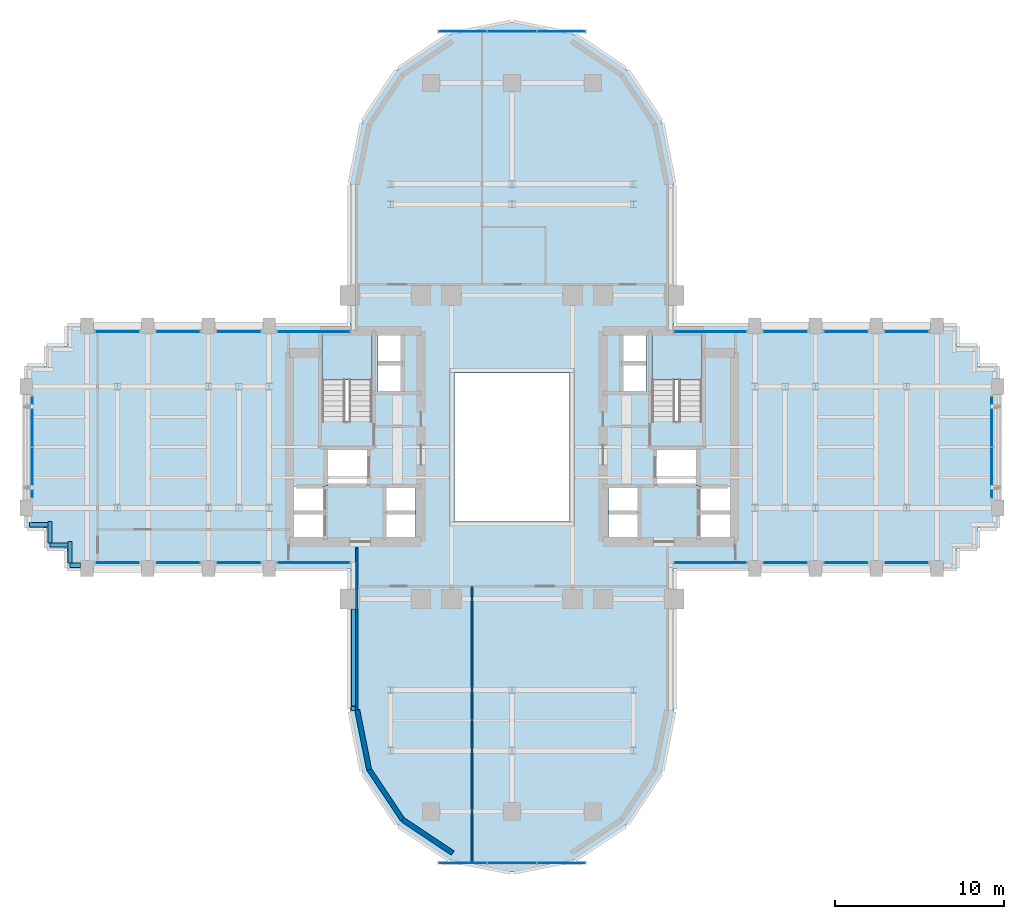
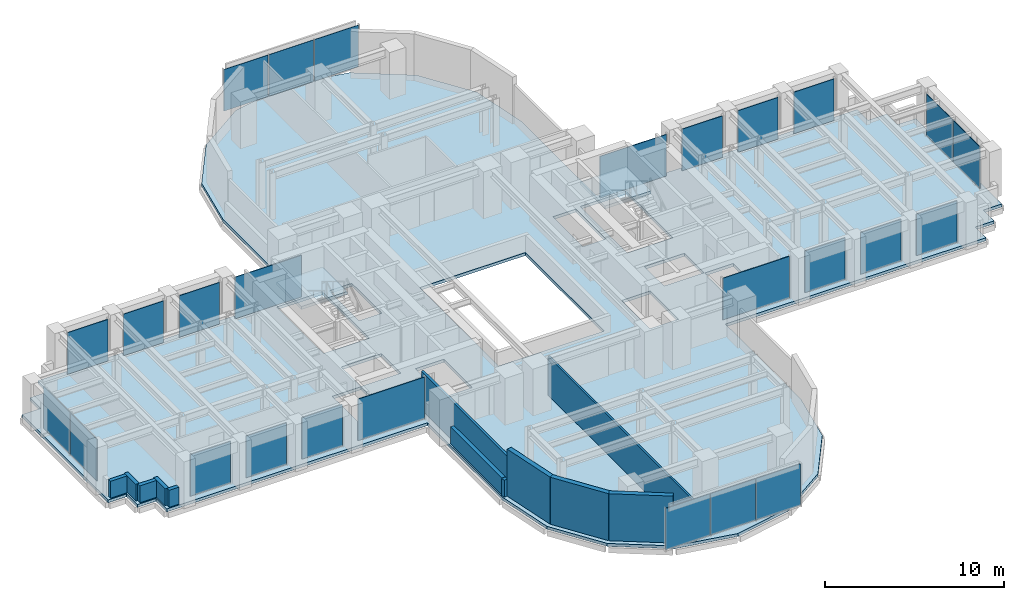
# One storey, part 9 of 16: 26 plates, 12 walls, 3 slabs, 22 elements without a shape of their own.
"""IFC4 building model written with IfcOpenShell, lengths in metres."""

from ifc_helpers import new_model, si_unit, direction, frame, frame_2d, origin, origin_2d, place, context, subcontext, project, spatial, polyline, rectangle, outline, extrude, source, transform, mapped, material, layer, layer_set, type_object, element, aggregate, save


model = new_model("IFC4")

# Units and contexts
model_context = context("Model", 3, precision=1e-05, world=origin(), true_north=direction((0.0, 1.0)))
body_context = subcontext(model_context, "Body", "Model", "MODEL_VIEW")
ifc_project = project(units=[si_unit("LENGTHUNIT", "METRE"), si_unit("AREAUNIT", "SQUARE_METRE"), si_unit("VOLUMEUNIT", "CUBIC_METRE"), si_unit("PLANEANGLEUNIT", "RADIAN"), si_unit("MASSUNIT", "GRAM", prefix="KILO")], contexts=[model_context])

# Site, building, storey
site_placement = place(None, origin())
site = spatial("IfcSite", under=ifc_project, at=site_placement, CompositionType="ELEMENT")
building_placement = place(site_placement, origin())
building = spatial("IfcBuilding", under=site, at=building_placement, Name="Keilestroom Media Tower", CompositionType="ELEMENT")
storey_placement = place(building_placement, frame((0.0, 0.0, 37.39990234375)))
storey = spatial("IfcBuildingStorey", under=building, at=storey_placement, Name="L08", CompositionType="ELEMENT", Elevation=37.39990234375)

# Slab
ifc_material_1 = material(Name="Concrete C50/60", Category="concrete")
ifc_layer_1 = layer(ifc_material_1, 0.199951171875)
ifc_layer_set_1 = layer_set([ifc_layer_1], Name="Concrete C50/60")
slab_type_1 = type_object("IfcSlabType", Name="Composite-Floor-Slab-200", PredefinedType="FLOOR", material=ifc_layer_set_1)
slab_1_placement = place(storey_placement, frame((0.0, 0.0, -0.199951171875)))
element("IfcSlab", 1, at=slab_1_placement, inside=storey, type_object=slab_type_1, Name="L08 Structural Composite Floor Slab", PredefinedType="FLOOR", context=body_context, shape_type="SweptSolid", body=[
    extrude(outline(polyline([(28.800048828125, -4.800048828125), (28.800048828125, 4.800048828125), (27.60009765625, 4.800048828125), (27.60009765625, 6.0), (26.39990234375, 6.0), (26.39990234375, 7.199951171875), (9.60009765625, 7.199951171875), (9.60009765625, 9.60009765625), (9.60009765625, 15.60009765625), (8.869140625, 19.273681640625), (6.7880859375, 22.38818359375), (3.673828125, 24.46923828125), (0.0, 25.199951171875), (-3.673828125, 24.46923828125), (-6.7880859375, 22.38818359375), (-8.869140625, 19.273681640625), (-9.60009765625, 15.60009765625), (-9.60009765625, 9.60009765625), (-9.60009765625, 7.199951171875), (-26.39990234375, 7.199951171875), (-26.39990234375, 6.0), (-27.60009765625, 6.0), (-27.60009765625, 4.800048828125), (-28.800048828125, 4.800048828125), (-28.800048828125, -4.800048828125), (-27.60009765625, -4.800048828125), (-27.60009765625, -6.0), (-26.39990234375, -6.0), (-26.39990234375, -7.199951171875), (-9.60009765625, -7.199951171875), (-9.60009765625, -9.60009765625), (-9.60009765625, -15.60009765625), (-8.869140625, -19.273681640625), (-6.7880859375, -22.38818359375), (-3.673828125, -24.46923828125), (0.0, -25.199951171875), (3.673828125, -24.46923828125), (6.7880859375, -22.38818359375), (8.869140625, -19.273681640625), (9.60009765625, -15.60009765625), (9.60009765625, -9.60009765625), (9.60009765625, -7.199951171875), (26.39990234375, -7.199951171875), (26.39990234375, -6.0), (27.60009765625, -6.0), (27.60009765625, -4.800048828125), (28.800048828125, -4.800048828125)]), holes=[polyline([(-12.919921875, -5.47998046875), (-12.919921875, -2.320068359375), (-11.080078125, -2.320068359375), (-11.080078125, -5.47998046875), (-12.919921875, -5.47998046875)]), polyline([(-11.260009765625, 1.544921875), (-11.260009765625, 6.760009765625), (-8.300048828125, 6.760009765625), (-8.300048828125, 1.544921875), (-11.260009765625, 1.544921875)]), polyline([(-11.050048828125, -2.280029296875), (-11.050048828125, -0.10009765625), (-8.47998046875, -0.10009765625), (-8.47998046875, -2.280029296875), (-11.050048828125, -2.280029296875)]), polyline([(-7.949951171875, 3.300048828125), (-7.949951171875, 6.64990234375), (-6.47998046875, 6.64990234375), (-6.47998046875, 3.300048828125), (-7.949951171875, 3.300048828125)]), polyline([(-7.56005859375, -5.47998046875), (-7.56005859375, -2.320068359375), (-5.719970703125, -2.320068359375), (-5.719970703125, -5.47998046875), (-7.56005859375, -5.47998046875)]), polyline([(-3.39990234375, -4.39990234375), (-3.39990234375, 4.39990234375), (3.39990234375, 4.39990234375), (3.39990234375, -4.39990234375), (-3.39990234375, -4.39990234375)]), polyline([(5.719970703125, -5.47998046875), (5.719970703125, -2.320068359375), (7.56005859375, -2.320068359375), (7.56005859375, -5.47998046875), (5.719970703125, -5.47998046875)]), polyline([(7.949951171875, 6.64990234375), (7.949951171875, 3.300048828125), (6.47998046875, 3.300048828125), (6.47998046875, 6.64990234375), (7.949951171875, 6.64990234375)]), polyline([(8.300048828125, 6.760009765625), (11.260009765625, 6.760009765625), (11.260009765625, 1.544921875), (8.300048828125, 1.544921875), (8.300048828125, 6.760009765625)]), polyline([(8.47998046875, -2.280029296875), (8.47998046875, -0.10009765625), (11.050048828125, -0.10009765625), (11.050048828125, -2.280029296875), (8.47998046875, -2.280029296875)]), polyline([(12.919921875, -5.47998046875), (11.080078125, -5.47998046875), (11.080078125, -2.320068359375), (12.919921875, -2.320068359375), (12.919921875, -5.47998046875)])]), origin(), (0.0, 0.0, 1.0), 0.199951171875),
])

# Stair, slab
ifc_material_2 = material(Name="Concrete C45/55", Category="concrete")
stair_type = type_object("IfcStairType", Name="Enclosed-Dog-Leg-Stair-ST-CORE", PredefinedType="HALF_TURN_STAIR", material=ifc_material_2)
stair_1_placement = place(storey_placement, origin())
stair_1 = element("IfcStair", 2, at=stair_1_placement, inside=storey, type_object=stair_type, Name="L08 West Core Escape Stair ST-1", PredefinedType="HALF_TURN_STAIR")
ifc_layer_2 = layer(ifc_material_2, 0.199951171875)
ifc_layer_set_2 = layer_set([ifc_layer_2], Name="Concrete C45/55")
slab_type_2 = type_object("IfcSlabType", Name="Stair-Intermediate-And-Top-Landing-Slab-200", PredefinedType="LANDING", material=ifc_layer_set_2)
slab_2_placement = place(storey_placement, frame((0.0, 0.0, 1.5)))
slab_2 = element("IfcSlab", 3, at=slab_2_placement, type_object=slab_type_2, Name="ST-1 landing 1", PredefinedType="LANDING", context=body_context, shape_type="SweptSolid", body=[
    extrude(outline(polyline([(-8.300048828125, 3.99609375), (-8.300048828125, 6.760009765625), (-11.260009765625, 6.760009765625), (-11.260009765625, 3.99609375), (-8.300048828125, 3.99609375)])), origin(), (0.0, 0.0, 1.0), 0.2001953125),
])
aggregate(stair_1, [slab_2])

stair_2_placement = place(storey_placement, origin())
stair_2 = element("IfcStair", 4, at=stair_2_placement, inside=storey, type_object=stair_type, Name="L08 East Core Escape Stair ST-2", PredefinedType="HALF_TURN_STAIR")
slab_3_placement = place(storey_placement, frame((0.0, 0.0, 1.5)))
slab_3 = element("IfcSlab", 5, at=slab_3_placement, type_object=slab_type_2, Name="ST-2 landing 1", PredefinedType="LANDING", context=body_context, shape_type="SweptSolid", body=[
    extrude(outline(polyline([(11.260009765625, 3.99609375), (11.260009765625, 6.760009765625), (8.300048828125, 6.760009765625), (8.300048828125, 3.99609375), (11.260009765625, 3.99609375)])), origin(), (0.0, 0.0, 1.0), 0.2001953125),
])
aggregate(stair_2, [slab_3])

# Curtain wall, plates
ifc_material_3 = material(Name="Anodised Aluminium Alloy", Category="aluminium")
curtain_wall_type_1 = type_object("IfcCurtainWallType", Name="Unitised-Curtain-Wall-CW-1", PredefinedType="NOTDEFINED", material=ifc_material_3)
curtain_wall_1_placement = place(storey_placement, origin())
curtain_wall_1 = element("IfcCurtainWall", 6, at=curtain_wall_1_placement, inside=storey, type_object=curtain_wall_type_1, Name="L08 Curtain Wall CW-1 CW-L08-W-1", PredefinedType="NOTDEFINED")
ifc_material_4 = material(Name="Double Glazed Low-E Unit", Category="glass")
ifc_layer_3 = layer(ifc_material_4, 0.0439453125)
ifc_layer_set_3 = layer_set([ifc_layer_3], Name="Double Glazed Low-E Unit")
plate_type_1 = type_object("IfcPlateType", Name="Insulated-Curtain-Wall-Glazing-Panel-CW-1", PredefinedType="CURTAIN_PANEL", material=ifc_layer_set_3)
shared_shape_1 = source(origin(), body_context, "Body", "SweptSolid", [
    extrude(rectangle(XDim=2.968017578125, YDim=0.0439453125, at=origin_2d()), origin(), (0.0, 0.0, 1.0), 2.833984375),
])
plate_1_placement = place(storey_placement, frame((-28.449951171875, -1.514892578125, 0.072998046875), z_axis=(0.0, 0.0, 1.0), x_axis=(0.0, 1.0, 0.0)))
plate_1 = element("IfcPlate", 7, at=plate_1_placement, type_object=plate_type_1, Name="CW-1 Unitised Glazing 00", PredefinedType="CURTAIN_PANEL", context=body_context, shape_type="MappedRepresentation", body=[
    mapped(shared_shape_1, transform((0.0, 0.0, 0.0), x_axis=(1.0, 0.0, 0.0), y_axis=(0.0, 1.0, 0.0), z_axis=(0.0, 0.0, 1.0), scale=1.0)),
])
plate_2_placement = place(storey_placement, frame((-28.449951171875, 1.514892578125, 0.072998046875), z_axis=(0.0, 0.0, 1.0), x_axis=(0.0, 1.0, 0.0)))
plate_2 = element("IfcPlate", 8, at=plate_2_placement, type_object=plate_type_1, Name="CW-1 Unitised Glazing 01", PredefinedType="CURTAIN_PANEL", context=body_context, shape_type="MappedRepresentation", body=[
    mapped(shared_shape_1, transform((0.0, 0.0, 0.0), x_axis=(1.0, 0.0, 0.0), y_axis=(0.0, 1.0, 0.0), z_axis=(0.0, 0.0, 1.0), scale=1.0)),
])
aggregate(curtain_wall_1, [plate_1, plate_2])

curtain_wall_2_placement = place(storey_placement, origin())
curtain_wall_2 = element("IfcCurtainWall", 9, at=curtain_wall_2_placement, inside=storey, type_object=curtain_wall_type_1, Name="L08 Curtain Wall CW-1 CW-L08-E-1", PredefinedType="NOTDEFINED")
plate_3_placement = place(storey_placement, frame((28.449951171875, -1.514892578125, 0.072998046875), z_axis=(0.0, 0.0, 1.0), x_axis=(0.0, 1.0, 0.0)))
plate_3 = element("IfcPlate", 10, at=plate_3_placement, type_object=plate_type_1, Name="CW-1 Unitised Glazing 00", PredefinedType="CURTAIN_PANEL", context=body_context, shape_type="MappedRepresentation", body=[
    mapped(shared_shape_1, transform((0.0, 0.0, 0.0), x_axis=(1.0, 0.0, 0.0), y_axis=(0.0, 1.0, 0.0), z_axis=(0.0, 0.0, 1.0), scale=1.0)),
])
plate_4_placement = place(storey_placement, frame((28.449951171875, 1.514892578125, 0.072998046875), z_axis=(0.0, 0.0, 1.0), x_axis=(0.0, 1.0, 0.0)))
plate_4 = element("IfcPlate", 11, at=plate_4_placement, type_object=plate_type_1, Name="CW-1 Unitised Glazing 01", PredefinedType="CURTAIN_PANEL", context=body_context, shape_type="MappedRepresentation", body=[
    mapped(shared_shape_1, transform((0.0, 0.0, 0.0), x_axis=(1.0, 0.0, 0.0), y_axis=(0.0, 1.0, 0.0), z_axis=(0.0, 0.0, 1.0), scale=1.0)),
])
aggregate(curtain_wall_2, [plate_3, plate_4])

# Curtain wall, plate
curtain_wall_3_placement = place(storey_placement, origin())
curtain_wall_3 = element("IfcCurtainWall", 12, at=curtain_wall_3_placement, inside=storey, type_object=curtain_wall_type_1, Name="L08 Curtain Wall CW-1 CW-L08-NW-1", PredefinedType="NOTDEFINED")
shared_shape_2 = source(origin(), body_context, "Body", "SweptSolid", [
    extrude(rectangle(XDim=2.597900390625, YDim=0.0439453125, at=origin_2d()), origin(), (0.0, 0.0, 1.0), 2.833984375),
])
plate_5_placement = place(storey_placement, frame((-23.39990234375, 6.85009765625, 0.072998046875), z_axis=(0.0, 0.0, 1.0), x_axis=(1.0, 0.0, 0.0)))
plate_5 = element("IfcPlate", 13, at=plate_5_placement, type_object=plate_type_1, Name="CW-1 Unitised Glazing 00", PredefinedType="CURTAIN_PANEL", context=body_context, shape_type="MappedRepresentation", body=[
    mapped(shared_shape_2, transform((0.0, 0.0, 0.0), x_axis=(1.0, 0.0, 0.0), y_axis=(0.0, 1.0, 0.0), z_axis=(0.0, 0.0, 1.0), scale=1.0)),
])
aggregate(curtain_wall_3, [plate_5])

curtain_wall_4_placement = place(storey_placement, origin())
curtain_wall_4 = element("IfcCurtainWall", 14, at=curtain_wall_4_placement, inside=storey, type_object=curtain_wall_type_1, Name="L08 Curtain Wall CW-1 CW-L08-NW-2", PredefinedType="NOTDEFINED")
plate_6_placement = place(storey_placement, frame((-19.800048828125, 6.85009765625, 0.072998046875), z_axis=(0.0, 0.0, 1.0), x_axis=(1.0, 0.0, 0.0)))
plate_6 = element("IfcPlate", 15, at=plate_6_placement, type_object=plate_type_1, Name="CW-1 Unitised Glazing 00", PredefinedType="CURTAIN_PANEL", context=body_context, shape_type="MappedRepresentation", body=[
    mapped(shared_shape_2, transform((0.0, 0.0, 0.0), x_axis=(1.0, 0.0, 0.0), y_axis=(0.0, 1.0, 0.0), z_axis=(0.0, 0.0, 1.0), scale=1.0)),
])
aggregate(curtain_wall_4, [plate_6])

curtain_wall_5_placement = place(storey_placement, origin())
curtain_wall_5 = element("IfcCurtainWall", 16, at=curtain_wall_5_placement, inside=storey, type_object=curtain_wall_type_1, Name="L08 Curtain Wall CW-1 CW-L08-NW-3", PredefinedType="NOTDEFINED")
plate_7_placement = place(storey_placement, frame((-16.199951171875, 6.85009765625, 0.072998046875), z_axis=(0.0, 0.0, 1.0), x_axis=(1.0, 0.0, 0.0)))
plate_7 = element("IfcPlate", 17, at=plate_7_placement, type_object=plate_type_1, Name="CW-1 Unitised Glazing 00", PredefinedType="CURTAIN_PANEL", context=body_context, shape_type="MappedRepresentation", body=[
    mapped(shared_shape_2, transform((0.0, 0.0, 0.0), x_axis=(1.0, 0.0, 0.0), y_axis=(0.0, 1.0, 0.0), z_axis=(0.0, 0.0, 1.0), scale=1.0)),
])
aggregate(curtain_wall_5, [plate_7])

curtain_wall_6_placement = place(storey_placement, origin())
curtain_wall_6 = element("IfcCurtainWall", 18, at=curtain_wall_6_placement, inside=storey, type_object=curtain_wall_type_1, Name="L08 Curtain Wall CW-1 CW-L08-NE-2", PredefinedType="NOTDEFINED")
plate_8_placement = place(storey_placement, frame((16.199951171875, 6.85009765625, 0.072998046875), z_axis=(0.0, 0.0, 1.0), x_axis=(1.0, 0.0, 0.0)))
plate_8 = element("IfcPlate", 19, at=plate_8_placement, type_object=plate_type_1, Name="CW-1 Unitised Glazing 00", PredefinedType="CURTAIN_PANEL", context=body_context, shape_type="MappedRepresentation", body=[
    mapped(shared_shape_2, transform((0.0, 0.0, 0.0), x_axis=(1.0, 0.0, 0.0), y_axis=(0.0, 1.0, 0.0), z_axis=(0.0, 0.0, 1.0), scale=1.0)),
])
aggregate(curtain_wall_6, [plate_8])

curtain_wall_7_placement = place(storey_placement, origin())
curtain_wall_7 = element("IfcCurtainWall", 20, at=curtain_wall_7_placement, inside=storey, type_object=curtain_wall_type_1, Name="L08 Curtain Wall CW-1 CW-L08-NE-3", PredefinedType="NOTDEFINED")
plate_9_placement = place(storey_placement, frame((19.800048828125, 6.85009765625, 0.072998046875), z_axis=(0.0, 0.0, 1.0), x_axis=(1.0, 0.0, 0.0)))
plate_9 = element("IfcPlate", 21, at=plate_9_placement, type_object=plate_type_1, Name="CW-1 Unitised Glazing 00", PredefinedType="CURTAIN_PANEL", context=body_context, shape_type="MappedRepresentation", body=[
    mapped(shared_shape_2, transform((0.0, 0.0, 0.0), x_axis=(1.0, 0.0, 0.0), y_axis=(0.0, 1.0, 0.0), z_axis=(0.0, 0.0, 1.0), scale=1.0)),
])
aggregate(curtain_wall_7, [plate_9])

curtain_wall_8_placement = place(storey_placement, origin())
curtain_wall_8 = element("IfcCurtainWall", 22, at=curtain_wall_8_placement, inside=storey, type_object=curtain_wall_type_1, Name="L08 Curtain Wall CW-1 CW-L08-NE-4", PredefinedType="NOTDEFINED")
plate_10_placement = place(storey_placement, frame((23.39990234375, 6.85009765625, 0.072998046875), z_axis=(0.0, 0.0, 1.0), x_axis=(1.0, 0.0, 0.0)))
plate_10 = element("IfcPlate", 23, at=plate_10_placement, type_object=plate_type_1, Name="CW-1 Unitised Glazing 00", PredefinedType="CURTAIN_PANEL", context=body_context, shape_type="MappedRepresentation", body=[
    mapped(shared_shape_2, transform((0.0, 0.0, 0.0), x_axis=(1.0, 0.0, 0.0), y_axis=(0.0, 1.0, 0.0), z_axis=(0.0, 0.0, 1.0), scale=1.0)),
])
aggregate(curtain_wall_8, [plate_10])

curtain_wall_9_placement = place(storey_placement, origin())
curtain_wall_9 = element("IfcCurtainWall", 24, at=curtain_wall_9_placement, inside=storey, type_object=curtain_wall_type_1, Name="L08 Curtain Wall CW-1 CW-L08-SW-1", PredefinedType="NOTDEFINED")
plate_11_placement = place(storey_placement, frame((-23.39990234375, -6.85009765625, 0.072998046875), z_axis=(0.0, 0.0, 1.0), x_axis=(1.0, 0.0, 0.0)))
plate_11 = element("IfcPlate", 25, at=plate_11_placement, type_object=plate_type_1, Name="CW-1 Unitised Glazing 00", PredefinedType="CURTAIN_PANEL", context=body_context, shape_type="MappedRepresentation", body=[
    mapped(shared_shape_2, transform((0.0, 0.0, 0.0), x_axis=(1.0, 0.0, 0.0), y_axis=(0.0, 1.0, 0.0), z_axis=(0.0, 0.0, 1.0), scale=1.0)),
])
aggregate(curtain_wall_9, [plate_11])

curtain_wall_10_placement = place(storey_placement, origin())
curtain_wall_10 = element("IfcCurtainWall", 26, at=curtain_wall_10_placement, inside=storey, type_object=curtain_wall_type_1, Name="L08 Curtain Wall CW-1 CW-L08-SW-2", PredefinedType="NOTDEFINED")
plate_12_placement = place(storey_placement, frame((-19.800048828125, -6.85009765625, 0.072998046875), z_axis=(0.0, 0.0, 1.0), x_axis=(1.0, 0.0, 0.0)))
plate_12 = element("IfcPlate", 27, at=plate_12_placement, type_object=plate_type_1, Name="CW-1 Unitised Glazing 00", PredefinedType="CURTAIN_PANEL", context=body_context, shape_type="MappedRepresentation", body=[
    mapped(shared_shape_2, transform((0.0, 0.0, 0.0), x_axis=(1.0, 0.0, 0.0), y_axis=(0.0, 1.0, 0.0), z_axis=(0.0, 0.0, 1.0), scale=1.0)),
])
aggregate(curtain_wall_10, [plate_12])

curtain_wall_11_placement = place(storey_placement, origin())
curtain_wall_11 = element("IfcCurtainWall", 28, at=curtain_wall_11_placement, inside=storey, type_object=curtain_wall_type_1, Name="L08 Curtain Wall CW-1 CW-L08-SW-3", PredefinedType="NOTDEFINED")
plate_13_placement = place(storey_placement, frame((-16.199951171875, -6.85009765625, 0.072998046875), z_axis=(0.0, 0.0, 1.0), x_axis=(1.0, 0.0, 0.0)))
plate_13 = element("IfcPlate", 29, at=plate_13_placement, type_object=plate_type_1, Name="CW-1 Unitised Glazing 00", PredefinedType="CURTAIN_PANEL", context=body_context, shape_type="MappedRepresentation", body=[
    mapped(shared_shape_2, transform((0.0, 0.0, 0.0), x_axis=(1.0, 0.0, 0.0), y_axis=(0.0, 1.0, 0.0), z_axis=(0.0, 0.0, 1.0), scale=1.0)),
])
aggregate(curtain_wall_11, [plate_13])

curtain_wall_12_placement = place(storey_placement, origin())
curtain_wall_12 = element("IfcCurtainWall", 30, at=curtain_wall_12_placement, inside=storey, type_object=curtain_wall_type_1, Name="L08 Curtain Wall CW-1 CW-L08-SE-2", PredefinedType="NOTDEFINED")
plate_14_placement = place(storey_placement, frame((16.199951171875, -6.85009765625, 0.072998046875), z_axis=(0.0, 0.0, 1.0), x_axis=(1.0, 0.0, 0.0)))
plate_14 = element("IfcPlate", 31, at=plate_14_placement, type_object=plate_type_1, Name="CW-1 Unitised Glazing 00", PredefinedType="CURTAIN_PANEL", context=body_context, shape_type="MappedRepresentation", body=[
    mapped(shared_shape_2, transform((0.0, 0.0, 0.0), x_axis=(1.0, 0.0, 0.0), y_axis=(0.0, 1.0, 0.0), z_axis=(0.0, 0.0, 1.0), scale=1.0)),
])
aggregate(curtain_wall_12, [plate_14])

curtain_wall_13_placement = place(storey_placement, origin())
curtain_wall_13 = element("IfcCurtainWall", 32, at=curtain_wall_13_placement, inside=storey, type_object=curtain_wall_type_1, Name="L08 Curtain Wall CW-1 CW-L08-SE-3", PredefinedType="NOTDEFINED")
plate_15_placement = place(storey_placement, frame((19.800048828125, -6.85009765625, 0.072998046875), z_axis=(0.0, 0.0, 1.0), x_axis=(1.0, 0.0, 0.0)))
plate_15 = element("IfcPlate", 33, at=plate_15_placement, type_object=plate_type_1, Name="CW-1 Unitised Glazing 00", PredefinedType="CURTAIN_PANEL", context=body_context, shape_type="MappedRepresentation", body=[
    mapped(shared_shape_2, transform((0.0, 0.0, 0.0), x_axis=(1.0, 0.0, 0.0), y_axis=(0.0, 1.0, 0.0), z_axis=(0.0, 0.0, 1.0), scale=1.0)),
])
aggregate(curtain_wall_13, [plate_15])

curtain_wall_14_placement = place(storey_placement, origin())
curtain_wall_14 = element("IfcCurtainWall", 34, at=curtain_wall_14_placement, inside=storey, type_object=curtain_wall_type_1, Name="L08 Curtain Wall CW-1 CW-L08-SE-4", PredefinedType="NOTDEFINED")
plate_16_placement = place(storey_placement, frame((23.39990234375, -6.85009765625, 0.072998046875), z_axis=(0.0, 0.0, 1.0), x_axis=(1.0, 0.0, 0.0)))
plate_16 = element("IfcPlate", 35, at=plate_16_placement, type_object=plate_type_1, Name="CW-1 Unitised Glazing 00", PredefinedType="CURTAIN_PANEL", context=body_context, shape_type="MappedRepresentation", body=[
    mapped(shared_shape_2, transform((0.0, 0.0, 0.0), x_axis=(1.0, 0.0, 0.0), y_axis=(0.0, 1.0, 0.0), z_axis=(0.0, 0.0, 1.0), scale=1.0)),
])
aggregate(curtain_wall_14, [plate_16])

curtain_wall_15_placement = place(storey_placement, origin())
curtain_wall_15 = element("IfcCurtainWall", 36, at=curtain_wall_15_placement, inside=storey, type_object=curtain_wall_type_1, Name="L08 Curtain Wall CW-1 CW-L08-NW-4", PredefinedType="NOTDEFINED")
shared_shape_3 = source(origin(), body_context, "Body", "SweptSolid", [
    extrude(rectangle(XDim=4.282958984375, YDim=0.0439453125, at=origin_2d()), origin(), (0.0, 0.0, 1.0), 2.833984375),
])
plate_17_placement = place(storey_placement, frame((-11.757568359375, 6.85009765625, 0.072998046875), z_axis=(0.0, 0.0, 1.0), x_axis=(1.0, 0.0, 0.0)))
plate_17 = element("IfcPlate", 37, at=plate_17_placement, type_object=plate_type_1, Name="CW-1 Unitised Glazing 00", PredefinedType="CURTAIN_PANEL", context=body_context, shape_type="MappedRepresentation", body=[
    mapped(shared_shape_3, transform((0.0, 0.0, 0.0), x_axis=(1.0, 0.0, 0.0), y_axis=(0.0, 1.0, 0.0), z_axis=(0.0, 0.0, 1.0), scale=1.0)),
])
aggregate(curtain_wall_15, [plate_17])

curtain_wall_16_placement = place(storey_placement, origin())
curtain_wall_16 = element("IfcCurtainWall", 38, at=curtain_wall_16_placement, inside=storey, type_object=curtain_wall_type_1, Name="L08 Curtain Wall CW-1 CW-L08-NE-1", PredefinedType="NOTDEFINED")
plate_18_placement = place(storey_placement, frame((11.757568359375, 6.85009765625, 0.072998046875), z_axis=(0.0, 0.0, 1.0), x_axis=(1.0, 0.0, 0.0)))
plate_18 = element("IfcPlate", 39, at=plate_18_placement, type_object=plate_type_1, Name="CW-1 Unitised Glazing 00", PredefinedType="CURTAIN_PANEL", context=body_context, shape_type="MappedRepresentation", body=[
    mapped(shared_shape_3, transform((0.0, 0.0, 0.0), x_axis=(1.0, 0.0, 0.0), y_axis=(0.0, 1.0, 0.0), z_axis=(0.0, 0.0, 1.0), scale=1.0)),
])
aggregate(curtain_wall_16, [plate_18])

curtain_wall_17_placement = place(storey_placement, origin())
curtain_wall_17 = element("IfcCurtainWall", 40, at=curtain_wall_17_placement, inside=storey, type_object=curtain_wall_type_1, Name="L08 Curtain Wall CW-1 CW-L08-SW-4", PredefinedType="NOTDEFINED")
plate_19_placement = place(storey_placement, frame((-11.757568359375, -6.85009765625, 0.072998046875), z_axis=(0.0, 0.0, 1.0), x_axis=(1.0, 0.0, 0.0)))
plate_19 = element("IfcPlate", 41, at=plate_19_placement, type_object=plate_type_1, Name="CW-1 Unitised Glazing 00", PredefinedType="CURTAIN_PANEL", context=body_context, shape_type="MappedRepresentation", body=[
    mapped(shared_shape_3, transform((0.0, 0.0, 0.0), x_axis=(1.0, 0.0, 0.0), y_axis=(0.0, 1.0, 0.0), z_axis=(0.0, 0.0, 1.0), scale=1.0)),
])
aggregate(curtain_wall_17, [plate_19])

curtain_wall_18_placement = place(storey_placement, origin())
curtain_wall_18 = element("IfcCurtainWall", 42, at=curtain_wall_18_placement, inside=storey, type_object=curtain_wall_type_1, Name="L08 Curtain Wall CW-1 CW-L08-SE-1", PredefinedType="NOTDEFINED")
plate_20_placement = place(storey_placement, frame((11.757568359375, -6.85009765625, 0.072998046875), z_axis=(0.0, 0.0, 1.0), x_axis=(1.0, 0.0, 0.0)))
plate_20 = element("IfcPlate", 43, at=plate_20_placement, type_object=plate_type_1, Name="CW-1 Unitised Glazing 00", PredefinedType="CURTAIN_PANEL", context=body_context, shape_type="MappedRepresentation", body=[
    mapped(shared_shape_3, transform((0.0, 0.0, 0.0), x_axis=(1.0, 0.0, 0.0), y_axis=(0.0, 1.0, 0.0), z_axis=(0.0, 0.0, 1.0), scale=1.0)),
])
aggregate(curtain_wall_18, [plate_20])

# Curtain wall, plates
curtain_wall_type_2 = type_object("IfcCurtainWallType", Name="Unitised-Curtain-Wall-CW-6", PredefinedType="NOTDEFINED", material=ifc_material_3)
curtain_wall_19_placement = place(storey_placement, origin())
curtain_wall_19 = element("IfcCurtainWall", 44, at=curtain_wall_19_placement, inside=storey, type_object=curtain_wall_type_2, Name="L08 Curtain Wall CW-6 CW-L08-LN-1", PredefinedType="NOTDEFINED")
ifc_material_5 = material(Name="Curved-Facet Triple Glazed Unit", Category="glass")
ifc_layer_4 = layer(ifc_material_5, 0.033935546875)
ifc_layer_set_4 = layer_set([ifc_layer_4], Name="Curved-Facet Triple Glazed Unit")
plate_type_2 = type_object("IfcPlateType", Name="Insulated-Curtain-Wall-Glazing-Panel-CW-6", PredefinedType="CURTAIN_PANEL", material=ifc_layer_set_4)
shared_shape_4 = source(origin(), body_context, "Body", "SweptSolid", [
    extrude(rectangle(XDim=2.84375, YDim=0.033935546875, at=origin_2d()), origin(), (0.0, 0.0, 1.0), 2.833984375),
])
plate_21_placement = place(storey_placement, frame((-2.9169921875, 24.64990234375, 0.072998046875), z_axis=(0.0, 0.0, 1.0), x_axis=(1.0, 0.0, 0.0)))
plate_21 = element("IfcPlate", 45, at=plate_21_placement, type_object=plate_type_2, Name="CW-6 Unitised Glazing 00", PredefinedType="CURTAIN_PANEL", context=body_context, shape_type="MappedRepresentation", body=[
    mapped(shared_shape_4, transform((0.0, 0.0, 0.0), x_axis=(1.0, 0.0, 0.0), y_axis=(0.0, 1.0, 0.0), z_axis=(0.0, 0.0, 1.0), scale=1.0)),
])
plate_22_placement = place(storey_placement, frame((2.9169921875, 24.64990234375, 0.072998046875), z_axis=(0.0, 0.0, 1.0), x_axis=(1.0, 0.0, 0.0)))
plate_22 = element("IfcPlate", 46, at=plate_22_placement, type_object=plate_type_2, Name="CW-6 Unitised Glazing 02", PredefinedType="CURTAIN_PANEL", context=body_context, shape_type="MappedRepresentation", body=[
    mapped(shared_shape_4, transform((0.0, 0.0, 0.0), x_axis=(1.0, 0.0, 0.0), y_axis=(0.0, 1.0, 0.0), z_axis=(0.0, 0.0, 1.0), scale=1.0)),
])

curtain_wall_20_placement = place(storey_placement, origin())
curtain_wall_20 = element("IfcCurtainWall", 47, at=curtain_wall_20_placement, inside=storey, type_object=curtain_wall_type_2, Name="L08 Curtain Wall CW-6 CW-L08-LS-1", PredefinedType="NOTDEFINED")
plate_23_placement = place(storey_placement, frame((-2.9169921875, -24.64990234375, 0.072998046875), z_axis=(0.0, 0.0, 1.0), x_axis=(1.0, 0.0, 0.0)))
plate_23 = element("IfcPlate", 48, at=plate_23_placement, type_object=plate_type_2, Name="CW-6 Unitised Glazing 00", PredefinedType="CURTAIN_PANEL", context=body_context, shape_type="MappedRepresentation", body=[
    mapped(shared_shape_4, transform((0.0, 0.0, 0.0), x_axis=(1.0, 0.0, 0.0), y_axis=(0.0, 1.0, 0.0), z_axis=(0.0, 0.0, 1.0), scale=1.0)),
])
plate_24_placement = place(storey_placement, frame((2.9169921875, -24.64990234375, 0.072998046875), z_axis=(0.0, 0.0, 1.0), x_axis=(1.0, 0.0, 0.0)))
plate_24 = element("IfcPlate", 49, at=plate_24_placement, type_object=plate_type_2, Name="CW-6 Unitised Glazing 02", PredefinedType="CURTAIN_PANEL", context=body_context, shape_type="MappedRepresentation", body=[
    mapped(shared_shape_4, transform((0.0, 0.0, 0.0), x_axis=(1.0, 0.0, 0.0), y_axis=(0.0, 1.0, 0.0), z_axis=(0.0, 0.0, 1.0), scale=1.0)),
])

# Plate
shared_shape_5 = source(origin(), body_context, "Body", "SweptSolid", [
    extrude(rectangle(XDim=2.876220703125, YDim=0.033935546875, at=origin_2d()), origin(), (0.0, 0.0, 1.0), 2.833984375),
])
plate_25_placement = place(storey_placement, frame((0.0, 24.64990234375, 0.072998046875), z_axis=(0.0, 0.0, 1.0), x_axis=(1.0, 0.0, 0.0)))
plate_25 = element("IfcPlate", 50, at=plate_25_placement, type_object=plate_type_2, Name="CW-6 Unitised Glazing 01", PredefinedType="CURTAIN_PANEL", context=body_context, shape_type="MappedRepresentation", body=[
    mapped(shared_shape_5, transform((0.0, 0.0, 0.0), x_axis=(1.0, 0.0, 0.0), y_axis=(0.0, 1.0, 0.0), z_axis=(0.0, 0.0, 1.0), scale=1.0)),
])

aggregate(curtain_wall_19, [plate_21, plate_25, plate_22])

plate_26_placement = place(storey_placement, frame((0.0, -24.64990234375, 0.072998046875), z_axis=(0.0, 0.0, 1.0), x_axis=(1.0, 0.0, 0.0)))
plate_26 = element("IfcPlate", 51, at=plate_26_placement, type_object=plate_type_2, Name="CW-6 Unitised Glazing 01", PredefinedType="CURTAIN_PANEL", context=body_context, shape_type="MappedRepresentation", body=[
    mapped(shared_shape_5, transform((0.0, 0.0, 0.0), x_axis=(1.0, 0.0, 0.0), y_axis=(0.0, 1.0, 0.0), z_axis=(0.0, 0.0, 1.0), scale=1.0)),
])

aggregate(curtain_wall_20, [plate_23, plate_26, plate_24])

# Walls
ifc_material_6 = material(Name="Precast concrete C40/50", Category="concrete")
ifc_layer_5 = layer(ifc_material_6, 0.300048828125)
ifc_layer_set_5 = layer_set([ifc_layer_5], Name="Precast concrete C40/50")
wall_type_1 = type_object("IfcWallType", Name="Exterior-Masonry-Spandrel-Wall-300", PredefinedType="SOLIDWALL", material=ifc_layer_set_5)
for number, where, z_axis, x_axis, name in (
    (52, (-9.1748046875, -15.585205078125, 0.0), (0.0, 0.0, 1.0), (0.195114232679, -0.980780523974, 0.0), "L08 Lobe Facet Precast Frame Wall 07"),
    (53, (-8.48193359375, -19.097412109375, 0.0), (0.0, 0.0, 1.0), (0.555574187116, -0.831466970246, 0.0), "L08 Lobe Facet Precast Frame Wall 08"),
):
    element("IfcWall", number, at=place(storey_placement, frame(where, z_axis=z_axis, x_axis=x_axis)), inside=storey, type_object=wall_type_1, Name=name, PredefinedType="SOLIDWALL", context=body_context, shape_type="SweptSolid", body=[
        extrude(rectangle(XDim=3.608642578125, YDim=0.300048828125, at=frame_2d((1.80419921875, 0.0))), origin(), (0.0, 0.0, 1.0), 3.2001953125),
    ])
wall_1_placement = place(storey_placement, frame((-6.497802734375, -22.0771484375, 0.0), z_axis=(0.0, 0.0, 1.0), x_axis=(0.8314749531, -0.555562239868, 0.0)))
element("IfcWall", 54, at=wall_1_placement, inside=storey, type_object=wall_type_1, Name="L08 Lobe Facet Precast Frame Wall 09", PredefinedType="SOLIDWALL", context=body_context, shape_type="SweptSolid", body=[
    extrude(rectangle(XDim=3.59326171875, YDim=0.300048828125, at=frame_2d((1.796630859375, 0.0))), origin(), (0.0, 0.0, 1.0), 3.2001953125),
])
ifc_material_7 = material(Name="Gypsum Plasterboard & Steel Stud", Category="steel")
ifc_layer_6 = layer(ifc_material_7, 0.1201171875)
ifc_layer_set_6 = layer_set([ifc_layer_6], Name="Gypsum Plasterboard & Steel Stud")
wall_type_2 = type_object("IfcWallType", Name="Interior-Partition-Wall-120", PredefinedType="PARTITIONING", material=ifc_layer_set_6)
wall_2_placement = place(storey_placement, frame((-2.3798828125, -24.64990234375, 0.0), z_axis=(0.0, 0.0, 1.0), x_axis=(0.0, 1.0, 0.0)))
element("IfcWall", 55, at=wall_2_placement, inside=storey, type_object=wall_type_2, Name="L08 Interior Wall WP-L08-SL-VS", PredefinedType="PARTITIONING", context=body_context, shape_type="SweptSolid", body=[
    extrude(rectangle(XDim=16.39990234375, YDim=0.1201171875, at=frame_2d((8.199951171875, 0.0))), origin(), (0.0, 0.0, 1.0), 2.650146484375),
])
ifc_layer_7 = layer(ifc_material_7, 0.14990234375)
ifc_layer_set_7 = layer_set([ifc_layer_7], Name="Gypsum Plasterboard & Steel Stud")
wall_type_3 = type_object("IfcWallType", Name="Interior-Partition-Wall-150", PredefinedType="PARTITIONING", material=ifc_layer_set_7)
wall_3_placement = place(storey_placement, frame((-9.199951171875, -15.679931640625, 0.0), z_axis=(0.0, 0.0, 1.0), x_axis=(0.0, 1.0, 0.0)))
element("IfcWall", 56, at=wall_3_placement, inside=storey, type_object=wall_type_3, Name="L08 Interior Wall WP-L08-SL-CHKW", PredefinedType="PARTITIONING", context=body_context, shape_type="SweptSolid", body=[
    extrude(rectangle(XDim=9.739990234375, YDim=0.14990234375, at=frame_2d((4.8701171875, 0.0))), origin(), (0.0, 0.0, 1.0), 2.650146484375),
])
ifc_layer_8 = layer(ifc_material_6, 0.239990234375)
ifc_layer_set_8 = layer_set([ifc_layer_8], Name="Precast concrete C40/50")
wall_type_4 = type_object("IfcWallType", Name="Roof-And-Terrace-Parapet-Wall-240", PredefinedType="PARAPET", material=ifc_layer_set_8)
wall_4_placement = place(storey_placement, frame((-9.395263671875, -15.604248046875, 0.0), z_axis=(0.0, 0.0, 1.0), x_axis=(-0.194652052864, 0.980872355771, 0.0)))
element("IfcWall", 57, at=wall_4_placement, inside=storey, type_object=wall_type_4, Name="L08 Perimeter Edge Parapet Wall 09", PredefinedType="PARAPET", context=body_context, shape_type="SweptSolid", body=[
    extrude(rectangle(XDim=0.224609375, YDim=0.239990234375, at=frame_2d((0.1123046875, 0.0))), origin(), (0.0, 0.0, 1.0), 1.150146484375),
])
wall_5_placement = place(storey_placement, frame((-9.39990234375, -15.357666015625, 0.0), z_axis=(0.0, 0.0, 1.0), x_axis=(0.0, 1.0, 0.0)))
element("IfcWall", 58, at=wall_5_placement, inside=storey, type_object=wall_type_4, Name="L08 Perimeter Edge Parapet Wall 10", PredefinedType="PARAPET", context=body_context, shape_type="SweptSolid", body=[
    extrude(rectangle(XDim=5.754638671875, YDim=0.239990234375, at=frame_2d((2.87744140625, 0.0))), origin(), (0.0, 0.0, 1.0), 1.150146484375),
])
wall_6_placement = place(storey_placement, frame((-25.577880859375, -7.0, 0.0), z_axis=(0.0, 0.0, 1.0), x_axis=(-1.0, 0.0, 0.0)))
element("IfcWall", 59, at=wall_6_placement, inside=storey, type_object=wall_type_4, Name="L08 Perimeter Edge Parapet Wall 12", PredefinedType="PARAPET", context=body_context, shape_type="SweptSolid", body=[
    extrude(rectangle(XDim=0.6220703125, YDim=0.239990234375, at=frame_2d((0.31103515625, 0.0))), origin(), (0.0, 0.0, 1.0), 1.150146484375),
])
wall_7_placement = place(storey_placement, frame((-26.199951171875, -6.876953125, 0.0), z_axis=(0.0, 0.0, 1.0), x_axis=(0.0, 1.0, 0.0)))
element("IfcWall", 60, at=wall_7_placement, inside=storey, type_object=wall_type_4, Name="L08 Perimeter Edge Parapet Wall 13", PredefinedType="PARAPET", context=body_context, shape_type="SweptSolid", body=[
    extrude(rectangle(XDim=1.27685546875, YDim=0.239990234375, at=frame_2d((0.638427734375, 0.0))), origin(), (0.0, 0.0, 1.0), 1.150146484375),
])
wall_8_placement = place(storey_placement, frame((-26.322998046875, -5.800048828125, 0.0), z_axis=(0.0, 0.0, 1.0), x_axis=(-1.0, 0.0, 0.0)))
element("IfcWall", 61, at=wall_8_placement, inside=storey, type_object=wall_type_4, Name="L08 Perimeter Edge Parapet Wall 14", PredefinedType="PARAPET", context=body_context, shape_type="SweptSolid", body=[
    extrude(rectangle(XDim=1.076904296875, YDim=0.239990234375, at=frame_2d((0.53857421875, 0.0))), origin(), (0.0, 0.0, 1.0), 1.150146484375),
])
wall_9_placement = place(storey_placement, frame((-27.39990234375, -5.677001953125, 0.0), z_axis=(0.0, 0.0, 1.0), x_axis=(0.0, 1.0, 0.0)))
element("IfcWall", 62, at=wall_9_placement, inside=storey, type_object=wall_type_4, Name="L08 Perimeter Edge Parapet Wall 15", PredefinedType="PARAPET", context=body_context, shape_type="SweptSolid", body=[
    extrude(rectangle(XDim=1.277099609375, YDim=0.239990234375, at=frame_2d((0.638671875, 0.0))), origin(), (0.0, 0.0, 1.0), 1.150146484375),
])
wall_10_placement = place(storey_placement, frame((-27.52294921875, -4.60009765625, 0.0), z_axis=(0.0, 0.0, 1.0), x_axis=(-1.0, 0.0, 0.0)))
element("IfcWall", 63, at=wall_10_placement, inside=storey, type_object=wall_type_4, Name="L08 Perimeter Edge Parapet Wall 16", PredefinedType="PARAPET", context=body_context, shape_type="SweptSolid", body=[
    extrude(rectangle(XDim=1.0771484375, YDim=0.239990234375, at=frame_2d((0.53857421875, 0.0))), origin(), (0.0, 0.0, 1.0), 1.150146484375),
])

save(model, "model.ifc")
